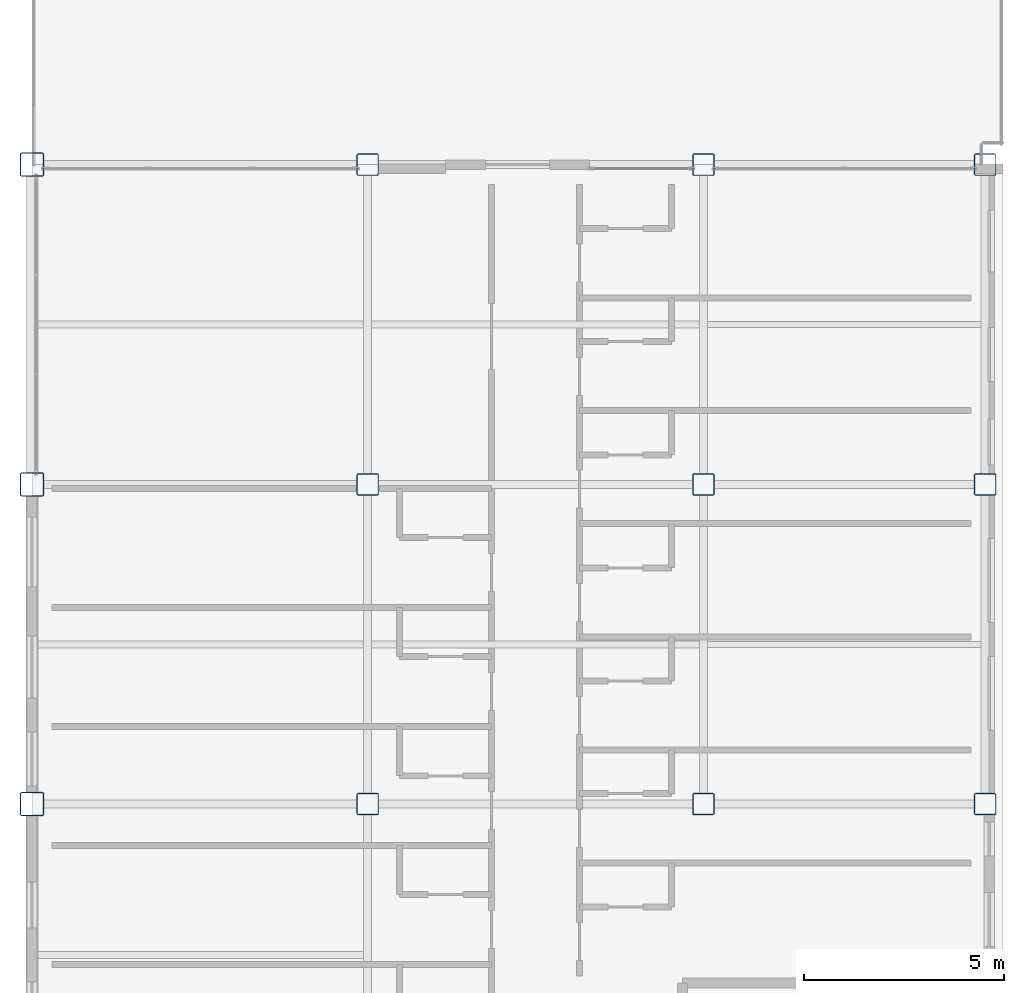
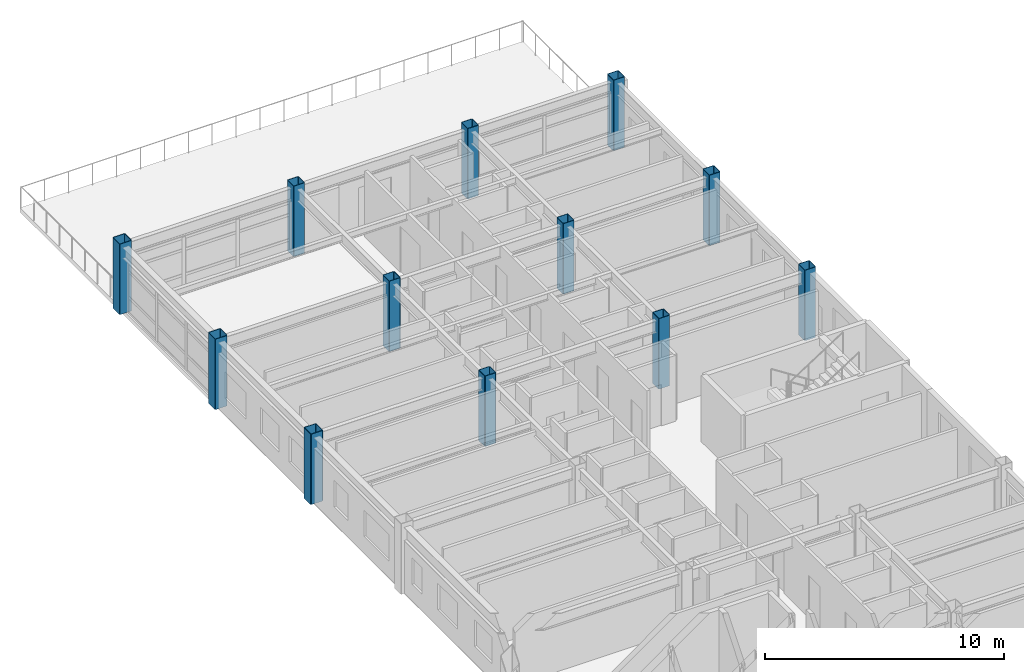
# One storey, part 2 of 36: 12 columns.
"""IFC4 building model written with IfcOpenShell, lengths in metres."""

from ifc_helpers import new_model, si_unit, direction, frame, origin, origin_2d, place, context, subcontext, project, spatial, hollow_rectangle, extrude, material, material_profile, profile_set, type_object, element, save


model = new_model("IFC4")

# Units and contexts
model_context = context("Model", 3, precision=1e-05, world=origin(), true_north=direction((0.0, 1.0)))
body_context = subcontext(model_context, "Body", "Model", "MODEL_VIEW")
ifc_project = project(units=[si_unit("LENGTHUNIT", "METRE"), si_unit("AREAUNIT", "SQUARE_METRE"), si_unit("VOLUMEUNIT", "CUBIC_METRE"), si_unit("PLANEANGLEUNIT", "RADIAN"), si_unit("MASSUNIT", "GRAM", prefix="KILO")], contexts=[model_context])

# Site, building, storey
site_placement = place(None, origin())
site = spatial("IfcSite", under=ifc_project, at=site_placement, CompositionType="ELEMENT")
building_placement = place(site_placement, origin())
building = spatial("IfcBuilding", under=site, at=building_placement, Name="Kazehara Bluff Congress Hotel", CompositionType="ELEMENT")
storey_placement = place(building_placement, frame((0.0, 0.0, 31.800048828125)))
storey = spatial("IfcBuildingStorey", under=building, at=storey_placement, Name="L07", CompositionType="ELEMENT", Elevation=31.800048828125)

# Columns
ifc_material_1 = material(Name="Steel BCR295", Category="steel")
ifc_material_profile_1 = material_profile(ifc_material_1, hollow_rectangle(XDim=0.60009765625, YDim=0.60009765625, WallThickness=0.02490234375, InnerFilletRadius=0.02490234375, OuterFilletRadius=0.050048828125, at=origin_2d()))
ifc_profile_set_1 = profile_set([ifc_material_profile_1], Name="Steel BCR295")
column_type_1 = type_object("IfcColumnType", Name="TP-C-05", PredefinedType="COLUMN", material=ifc_profile_set_1)
for number, where, z_axis, x_axis, name in (
    (1, (143.699951171875, 80.89990234375, 0.0), (0.0, 0.0, 1.0), (1.0, 0.0, 0.0), "L07 column C-05 (143.70,80.90)"),
    (2, (143.699951171875, 88.89990234375, 0.0), (0.0, 0.0, 1.0), (1.0, 0.0, 0.0), "L07 column C-05 (143.70,88.90)"),
    (3, (143.699951171875, 96.89990234375, 0.0), (0.0, 0.0, 1.0), (1.0, 0.0, 0.0), "L07 column C-05 (143.70,96.90)"),
):
    element("IfcColumn", number, at=place(storey_placement, frame(where, z_axis=z_axis, x_axis=x_axis)), inside=storey, type_object=column_type_1, Name=name, PredefinedType="COLUMN", context=body_context, shape_type="SweptSolid", body=[
        extrude(hollow_rectangle(XDim=0.60009765625, YDim=0.60009765625, WallThickness=0.02490234375, InnerFilletRadius=0.02490234375, OuterFilletRadius=0.050048828125, at=origin_2d()), origin(), (0.0, 0.0, 1.0), 3.599853515625),
    ])
ifc_material_2 = material(Name="Steel BCR295", Category="steel")
ifc_material_profile_2 = material_profile(ifc_material_2, hollow_rectangle(XDim=0.550048828125, YDim=0.550048828125, WallThickness=0.02197265625, InnerFilletRadius=0.02197265625, OuterFilletRadius=0.0439453125, at=origin_2d()))
ifc_profile_set_2 = profile_set([ifc_material_profile_2], Name="Steel BCR295")
column_type_2 = type_object("IfcColumnType", Name="TP-C-06", PredefinedType="COLUMN", material=ifc_profile_set_2)
for number, where, z_axis, x_axis, name in (
    (4, (152.10009765625, 80.89990234375, 0.0), (0.0, 0.0, 1.0), (1.0, 0.0, 0.0), "L07 column C-06 (152.10,80.90)"),
    (5, (152.10009765625, 88.89990234375, 0.0), (0.0, 0.0, 1.0), (1.0, 0.0, 0.0), "L07 column C-06 (152.10,88.90)"),
    (6, (152.10009765625, 96.89990234375, 0.0), (0.0, 0.0, 1.0), (1.0, 0.0, 0.0), "L07 column C-06 (152.10,96.90)"),
    (7, (160.5, 80.89990234375, 0.0), (0.0, 0.0, 1.0), (1.0, 0.0, 0.0), "L07 column C-06 (160.50,80.90)"),
    (8, (160.5, 88.89990234375, 0.0), (0.0, 0.0, 1.0), (1.0, 0.0, 0.0), "L07 column C-06 (160.50,88.90)"),
    (9, (160.5, 96.89990234375, 0.0), (0.0, 0.0, 1.0), (1.0, 0.0, 0.0), "L07 column C-06 (160.50,96.90)"),
    (10, (167.550048828125, 80.89990234375, 0.0), (0.0, 0.0, 1.0), (1.0, 0.0, 0.0), "L07 column C-06 (167.55,80.90)"),
    (11, (167.550048828125, 88.89990234375, 0.0), (0.0, 0.0, 1.0), (1.0, 0.0, 0.0), "L07 column C-06 (167.55,88.90)"),
    (12, (167.550048828125, 96.89990234375, 0.0), (0.0, 0.0, 1.0), (1.0, 0.0, 0.0), "L07 column C-06 (167.55,96.90)"),
):
    element("IfcColumn", number, at=place(storey_placement, frame(where, z_axis=z_axis, x_axis=x_axis)), inside=storey, type_object=column_type_2, Name=name, PredefinedType="COLUMN", context=body_context, shape_type="SweptSolid", body=[
        extrude(hollow_rectangle(XDim=0.550048828125, YDim=0.550048828125, WallThickness=0.02197265625, InnerFilletRadius=0.02197265625, OuterFilletRadius=0.0439453125, at=origin_2d()), origin(), (0.0, 0.0, 1.0), 3.599853515625),
    ])

save(model, "model.ifc")
